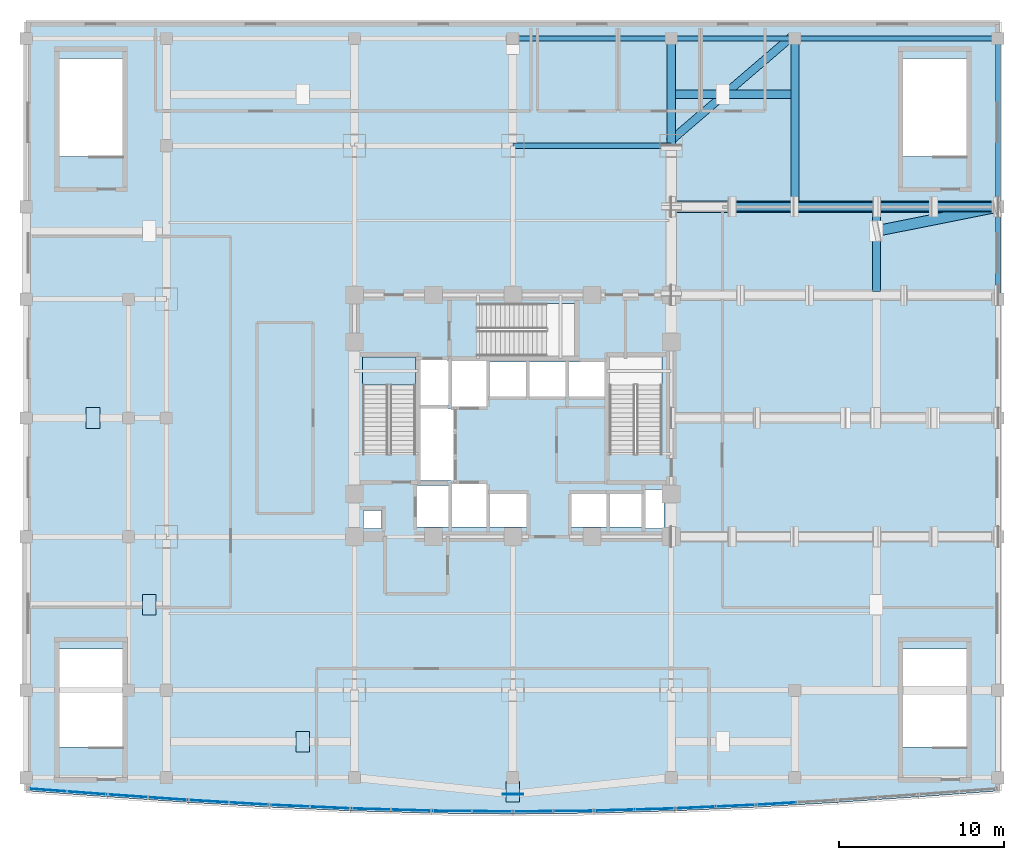
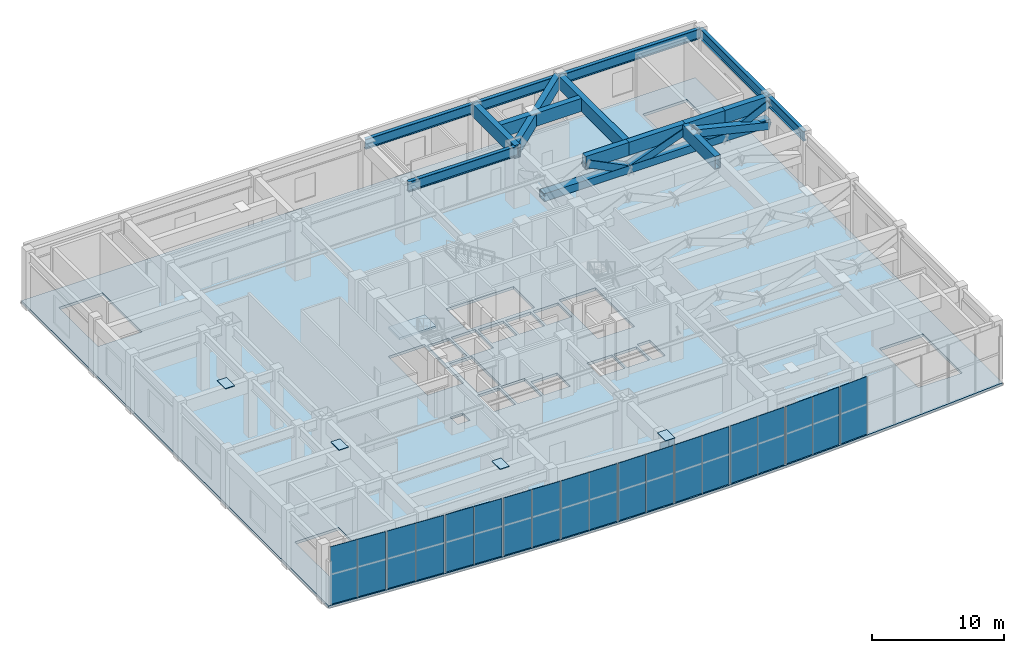
# One storey, part 10 of 19: 24 plates, 15 beams, 6 members, 2 slabs, 11 elements without a shape of their own.
"""IFC4 building model written with IfcOpenShell, lengths in metres."""

from ifc_helpers import new_model, si_unit, direction, frame, origin, origin_2d, place, context, subcontext, project, spatial, polyline, rectangle, hollow_rectangle, i_section, outline, extrude, material, layer, layer_set, material_profile, profile_set, type_object, element, aggregate, save


model = new_model("IFC4")

# Units and contexts
model_context = context("Model", 3, precision=1e-05, world=origin(), true_north=direction((0.0, 1.0)))
body_context = subcontext(model_context, "Body", "Model", "MODEL_VIEW")
ifc_project = project(units=[si_unit("LENGTHUNIT", "METRE"), si_unit("AREAUNIT", "SQUARE_METRE"), si_unit("VOLUMEUNIT", "CUBIC_METRE"), si_unit("PLANEANGLEUNIT", "RADIAN"), si_unit("MASSUNIT", "GRAM", prefix="KILO")], contexts=[model_context])

# Site, building, storey
site_placement = place(None, origin())
site = spatial("IfcSite", under=ifc_project, at=site_placement, CompositionType="ELEMENT")
building_placement = place(site_placement, origin())
building = spatial("IfcBuilding", under=site, at=building_placement, Name="Vantalir Tower", CompositionType="ELEMENT")
storey_placement = place(building_placement, frame((0.0, 0.0, 21.5)))
storey = spatial("IfcBuildingStorey", under=building, at=storey_placement, Name="L04", CompositionType="ELEMENT", Elevation=21.5)

# Beams
ifc_material_1 = material(Name="Steel S355", Category="steel")
ifc_material_profile_1 = material_profile(ifc_material_1, i_section(OverallWidth=0.30810546875, OverallDepth=0.927001953125, WebThickness=0.01953125, FlangeThickness=0.031982421875, at=origin_2d()), Name="Steel S355")
ifc_profile_set_1 = profile_set([ifc_material_profile_1], Name="Steel S355")
beam_type_1 = type_object("IfcBeamType", Name="BM-PG-914x305", PredefinedType="USERDEFINED", material=ifc_profile_set_1)
for number, where, z_axis, x_axis, name in (
    (1, (31.5, 41.5, 4.81591796875), (1.0, 0.0, 0.0), (0.0, 1.0, 0.0), "L04 Podium E-W Girder 32"),
    (2, (31.5, 48.0, 4.81591796875), (1.0, 0.0, 0.0), (0.0, 1.0, 0.0), "L04 Podium E-W Girder 36"),
):
    element("IfcBeam", number, at=place(storey_placement, frame(where, z_axis=z_axis, x_axis=x_axis)), inside=storey, type_object=beam_type_1, Name=name, ObjectType="GIRDER", PredefinedType="USERDEFINED", context=body_context, shape_type="SweptSolid", body=[
        extrude(i_section(OverallWidth=0.30810546875, OverallDepth=0.927001953125, WebThickness=0.01953125, FlangeThickness=0.031982421875, at=origin_2d()), origin(), (0.0, 0.0, 1.0), 9.60009765625),
    ])
beam_1_placement = place(storey_placement, frame((41.10009765625, 48.0, 4.81591796875), z_axis=(1.0, 0.0, 0.0), x_axis=(0.0, 1.0, 0.0)))
element("IfcBeam", 3, at=beam_1_placement, inside=storey, type_object=beam_type_1, Name="L04 Podium E-W Girder 37", ObjectType="GIRDER", PredefinedType="USERDEFINED", context=body_context, shape_type="SweptSolid", body=[
    extrude(i_section(OverallWidth=0.30810546875, OverallDepth=0.927001953125, WebThickness=0.01953125, FlangeThickness=0.031982421875, at=origin_2d()), origin(), (0.0, 0.0, 1.0), 7.5),
])
beam_2_placement = place(storey_placement, frame((48.60009765625, 48.0, 4.81591796875), z_axis=(1.0, 0.0, 0.0), x_axis=(0.0, 1.0, 0.0)))
element("IfcBeam", 4, at=beam_2_placement, inside=storey, type_object=beam_type_1, Name="L04 Podium E-W Girder 38", ObjectType="GIRDER", PredefinedType="USERDEFINED", context=body_context, shape_type="SweptSolid", body=[
    extrude(i_section(OverallWidth=0.30810546875, OverallDepth=0.927001953125, WebThickness=0.01953125, FlangeThickness=0.031982421875, at=origin_2d()), origin(), (0.0, 0.0, 1.0), 12.2998046875),
])
beam_3_placement = place(storey_placement, frame((60.89990234375, 32.199951171875, 4.81591796875), z_axis=(0.0, 1.0, 0.0), x_axis=(-1.0, 0.0, 0.0)))
element("IfcBeam", 5, at=beam_3_placement, inside=storey, type_object=beam_type_1, Name="L04 Podium N-S Girder 77", ObjectType="GIRDER", PredefinedType="USERDEFINED", context=body_context, shape_type="SweptSolid", body=[
    extrude(i_section(OverallWidth=0.30810546875, OverallDepth=0.927001953125, WebThickness=0.01953125, FlangeThickness=0.031982421875, at=origin_2d()), origin(), (0.0, 0.0, 1.0), 5.60009765625),
])
beam_4_placement = place(storey_placement, frame((60.89990234375, 37.800048828125, 4.81591796875), z_axis=(0.0, 1.0, 0.0), x_axis=(-1.0, 0.0, 0.0)))
element("IfcBeam", 6, at=beam_4_placement, inside=storey, type_object=beam_type_1, Name="L04 Podium N-S Girder 78", ObjectType="GIRDER", PredefinedType="USERDEFINED", context=body_context, shape_type="SweptSolid", body=[
    extrude(i_section(OverallWidth=0.30810546875, OverallDepth=0.927001953125, WebThickness=0.01953125, FlangeThickness=0.031982421875, at=origin_2d()), origin(), (0.0, 0.0, 1.0), 10.199951171875),
])
ifc_material_2 = material(Name="Steel S460", Category="steel")
ifc_material_profile_2 = material_profile(ifc_material_2, hollow_rectangle(XDim=0.5, YDim=1.199951171875, WallThickness=0.0400390625, at=origin_2d()), Name="Steel S460")
ifc_profile_set_2 = profile_set([ifc_material_profile_2], Name="Steel S460")
beam_type_2 = type_object("IfcBeamType", Name="BM-XG-1200x500", PredefinedType="USERDEFINED", material=ifc_profile_set_2)
beam_5_placement = place(storey_placement, frame((44.800048828125, 37.800048828125, 4.679931640625), z_axis=(1.0, 0.0, 0.0), x_axis=(0.0, 1.0, 0.0)))
element("IfcBeam", 7, at=beam_5_placement, inside=storey, type_object=beam_type_2, Name="L04 Ballroom Transfer Truss T4 Top Chord 2", ObjectType="GIRDER", PredefinedType="USERDEFINED", context=body_context, shape_type="SweptSolid", body=[
    extrude(hollow_rectangle(XDim=0.5, YDim=1.199951171875, WallThickness=0.0400390625, at=origin_2d()), origin(), (0.0, 0.0, 1.0), 3.800048828125),
])
beam_6_placement = place(storey_placement, frame((48.60009765625, 37.800048828125, 4.679931640625), z_axis=(1.0, 0.0, 0.0), x_axis=(0.0, 1.0, 0.0)))
element("IfcBeam", 8, at=beam_6_placement, inside=storey, type_object=beam_type_2, Name="L04 Ballroom Transfer Truss T4 Top Chord 3", ObjectType="GIRDER", PredefinedType="USERDEFINED", context=body_context, shape_type="SweptSolid", body=[
    extrude(hollow_rectangle(XDim=0.5, YDim=1.199951171875, WallThickness=0.0400390625, at=origin_2d()), origin(), (0.0, 0.0, 1.0), 4.93994140625),
])
beam_7_placement = place(storey_placement, frame((53.5400390625, 37.800048828125, 4.679931640625), z_axis=(1.0, 0.0, 0.0), x_axis=(0.0, 1.0, 0.0)))
element("IfcBeam", 9, at=beam_7_placement, inside=storey, type_object=beam_type_2, Name="L04 Ballroom Transfer Truss T4 Top Chord 4", ObjectType="GIRDER", PredefinedType="USERDEFINED", context=body_context, shape_type="SweptSolid", body=[
    extrude(hollow_rectangle(XDim=0.5, YDim=1.199951171875, WallThickness=0.0400390625, at=origin_2d()), origin(), (0.0, 0.0, 1.0), 3.4599609375),
])
beam_8_placement = place(storey_placement, frame((57.0, 37.800048828125, 4.679931640625), z_axis=(1.0, 0.0, 0.0), x_axis=(0.0, 1.0, 0.0)))
element("IfcBeam", 10, at=beam_8_placement, inside=storey, type_object=beam_type_2, Name="L04 Ballroom Transfer Truss T4 Top Chord 5", ObjectType="GIRDER", PredefinedType="USERDEFINED", context=body_context, shape_type="SweptSolid", body=[
    extrude(hollow_rectangle(XDim=0.5, YDim=1.199951171875, WallThickness=0.0400390625, at=origin_2d()), origin(), (0.0, 0.0, 1.0), 3.89990234375),
])
beam_9_placement = place(storey_placement, frame((41.10009765625, 41.5, 4.679931640625), z_axis=(0.0, 1.0, 0.0), x_axis=(-1.0, 0.0, 0.0)))
element("IfcBeam", 11, at=beam_9_placement, inside=storey, type_object=beam_type_2, Name="L04 Ring Transfer Girder PRI-X7N", ObjectType="GIRDER", PredefinedType="USERDEFINED", context=body_context, shape_type="SweptSolid", body=[
    extrude(hollow_rectangle(XDim=0.5, YDim=1.199951171875, WallThickness=0.0400390625, at=origin_2d()), origin(), (0.0, 0.0, 1.0), 6.5),
])
beam_10_placement = place(storey_placement, frame((48.60009765625, 37.800048828125, 4.679931640625), z_axis=(0.0, 1.0, 0.0), x_axis=(-1.0, 0.0, 0.0)))
element("IfcBeam", 12, at=beam_10_placement, inside=storey, type_object=beam_type_2, Name="L04 Ring Transfer Girder PRI-X8N", ObjectType="GIRDER", PredefinedType="USERDEFINED", context=body_context, shape_type="SweptSolid", body=[
    extrude(hollow_rectangle(XDim=0.5, YDim=1.199951171875, WallThickness=0.0400390625, at=origin_2d()), origin(), (0.0, 0.0, 1.0), 10.199951171875),
])
beam_11_placement = place(storey_placement, frame((53.5400390625, 32.675048828125, 4.679931640625), z_axis=(0.0, 1.0, 0.0), x_axis=(-1.0, 0.0, 0.0)))
element("IfcBeam", 13, at=beam_11_placement, inside=storey, type_object=beam_type_2, Name="L04 Ring Transfer Girder SEC-RC02B", ObjectType="GIRDER", PredefinedType="USERDEFINED", context=body_context, shape_type="SweptSolid", body=[
    extrude(hollow_rectangle(XDim=0.5, YDim=1.199951171875, WallThickness=0.0400390625, at=origin_2d()), origin(), (0.0, 0.0, 1.0), 4.89990234375),
])
beam_12_placement = place(storey_placement, frame((40.9599609375, 41.719970703125, 4.679931640625), z_axis=(0.758687994186, 0.651454163758, 0.0), x_axis=(-0.651454163758, 0.758687994186, 0.0)))
element("IfcBeam", 14, at=beam_12_placement, inside=storey, type_object=beam_type_2, Name="L04 Ring Transfer Girder PRI-RC03D", ObjectType="GIRDER", PredefinedType="USERDEFINED", context=body_context, shape_type="SweptSolid", body=[
    extrude(hollow_rectangle(XDim=0.5, YDim=1.199951171875, WallThickness=0.0400390625, at=origin_2d()), origin(), (0.0, 0.0, 1.0), 9.885498046875),
])
beam_13_placement = place(storey_placement, frame((41.324951171875, 44.6279296875, 4.679931640625), z_axis=(1.0, 0.0, 0.0), x_axis=(0.0, 1.0, 0.0)))
element("IfcBeam", 15, at=beam_13_placement, inside=storey, type_object=beam_type_2, Name="L04 Ring Transfer Girder SEC-RC03", ObjectType="GIRDER", PredefinedType="USERDEFINED", context=body_context, shape_type="SweptSolid", body=[
    extrude(hollow_rectangle(XDim=0.5, YDim=1.199951171875, WallThickness=0.0400390625, at=origin_2d()), origin(), (0.0, 0.0, 1.0), 7.050048828125),
])

# Members
ifc_material_profile_3 = material_profile(ifc_material_2, hollow_rectangle(XDim=0.699951171875, YDim=0.699951171875, WallThickness=0.044921875, at=origin_2d()), Name="Steel S460")
ifc_profile_set_3 = profile_set([ifc_material_profile_3], Name="Steel S460")
member_type_1 = type_object("IfcMemberType", Name="MEM-CH-700x45", PredefinedType="CHORD", material=ifc_profile_set_3)
member_1_placement = place(storey_placement, frame((41.10009765625, 37.800048828125, 2.830078125), z_axis=(1.0, 0.0, 0.0), x_axis=(0.0, 1.0, 0.0)))
element("IfcMember", 16, at=member_1_placement, inside=storey, type_object=member_type_1, Name="L04 Ballroom Transfer Truss T4 Bottom Chord", PredefinedType="CHORD", context=body_context, shape_type="SweptSolid", body=[
    extrude(hollow_rectangle(XDim=0.699951171875, YDim=0.699951171875, WallThickness=0.044921875, at=origin_2d()), origin(), (0.0, 0.0, 1.0), 19.7998046875),
])
ifc_material_profile_4 = material_profile(ifc_material_2, hollow_rectangle(XDim=0.64990234375, YDim=0.64990234375, WallThickness=0.044921875, at=origin_2d()), Name="Steel S460")
ifc_profile_set_4 = profile_set([ifc_material_profile_4], Name="Steel S460")
member_type_2 = type_object("IfcMemberType", Name="MEM-XT-650x45", PredefinedType="BRACE", material=ifc_profile_set_4)
member_2_placement = place(storey_placement, frame((44.8798828125, 37.800048828125, 4.6298828125), z_axis=(0.896414322007, 0.0, -0.443217061156), x_axis=(0.0, 1.0, 0.0)))
element("IfcMember", 17, at=member_2_placement, inside=storey, type_object=member_type_2, Name="L04 Ballroom Transfer Truss T4 Web 2", PredefinedType="BRACE", context=body_context, shape_type="SweptSolid", body=[
    extrude(hollow_rectangle(XDim=0.64990234375, YDim=0.64990234375, WallThickness=0.044921875, at=origin_2d()), origin(), (0.0, 0.0, 1.0), 4.060791015625),
])
member_3_placement = place(storey_placement, frame((48.679931640625, 37.800048828125, 2.830078125), z_axis=(0.935858861623, 0.0, 0.352375071652), x_axis=(0.0, 1.0, 0.0)))
element("IfcMember", 18, at=member_3_placement, inside=storey, type_object=member_type_2, Name="L04 Ballroom Transfer Truss T4 Web 3", PredefinedType="BRACE", context=body_context, shape_type="SweptSolid", body=[
    extrude(hollow_rectangle(XDim=0.64990234375, YDim=0.64990234375, WallThickness=0.044921875, at=origin_2d()), origin(), (0.0, 0.0, 1.0), 5.107666015625),
])
member_4_placement = place(storey_placement, frame((53.6201171875, 37.800048828125, 4.6298828125), z_axis=(0.877905501855, 0.0, -0.478833927173), x_axis=(0.0, 1.0, 0.0)))
element("IfcMember", 19, at=member_4_placement, inside=storey, type_object=member_type_2, Name="L04 Ballroom Transfer Truss T4 Web 4", PredefinedType="BRACE", context=body_context, shape_type="SweptSolid", body=[
    extrude(hollow_rectangle(XDim=0.64990234375, YDim=0.64990234375, WallThickness=0.044921875, at=origin_2d()), origin(), (0.0, 0.0, 1.0), 3.7587890625),
])
member_5_placement = place(storey_placement, frame((57.080078125, 37.800048828125, 2.830078125), z_axis=(0.901089359845, 0.0, 0.433633446098), x_axis=(0.0, 1.0, 0.0)))
element("IfcMember", 20, at=member_5_placement, inside=storey, type_object=member_type_2, Name="L04 Ballroom Transfer Truss T4 Web 5", PredefinedType="BRACE", context=body_context, shape_type="SweptSolid", body=[
    extrude(hollow_rectangle(XDim=0.64990234375, YDim=0.64990234375, WallThickness=0.044921875, at=origin_2d()), origin(), (0.0, 0.0, 1.0), 4.150634765625),
])
member_6_placement = place(storey_placement, frame((60.863037109375, 37.79296875, 2.533935546875), z_axis=(-0.92080903949, -0.183736021651, 0.344022945661), x_axis=(0.19568009152, -0.980667783596, 0.0)))
element("IfcMember", 21, at=member_6_placement, inside=storey, type_object=member_type_2, Name="L04 Ring Transfer Raking Strut RC02", PredefinedType="BRACE", context=body_context, shape_type="SweptSolid", body=[
    extrude(hollow_rectangle(XDim=0.64990234375, YDim=0.64990234375, WallThickness=0.044921875, at=origin_2d()), origin(), (0.0, 0.0, 1.0), 7.912841796875),
])

# Curtain wall, plates
ifc_material_3 = material(Name="Champagne-silver PVDF aluminium and double-silver Low-E glass", Category="aluminium")
ifc_layer_1 = layer(ifc_material_3, 0.239990234375)
ifc_layer_set_1 = layer_set([ifc_layer_1], Name="Champagne-silver PVDF aluminium and double-silver Low-E glass")
curtain_wall_type = type_object("IfcCurtainWallType", Name="CW-PODIUM-WF", PredefinedType="USERDEFINED", material=ifc_layer_set_1)
curtain_wall_1_placement = place(storey_placement, origin())
curtain_wall_1 = element("IfcCurtainWall", 22, at=curtain_wall_1_placement, inside=storey, type_object=curtain_wall_type, Name="L04 Waterfront Stick Curtain Wall 01", ObjectType="STICK CURTAIN WALL", PredefinedType="USERDEFINED")
ifc_material_4 = material(Name="Laminated waterfront podium glass IGU", Category="glass")
ifc_layer_2 = layer(ifc_material_4, 0.0400390625)
ifc_layer_set_2 = layer_set([ifc_layer_2], Name="Laminated waterfront podium glass IGU")
plate_type_1 = type_object("IfcPlateType", Name="CWP-IGU-POD-40", PredefinedType="CURTAIN_PANEL", material=ifc_layer_set_2)
plate_1_placement = place(storey_placement, frame((3.319091796875, 2.443115234375, -0.008056640625), z_axis=(0.0, 0.0, 1.0), x_axis=(0.99730039812, -0.073429666411, 0.0)))
plate_1 = element("IfcPlate", 23, at=plate_1_placement, type_object=plate_type_1, Name="CW-L04-WF-01 Glazed Panel 1", PredefinedType="CURTAIN_PANEL", context=body_context, shape_type="SweptSolid", body=[
    extrude(rectangle(XDim=2.264892578125, YDim=0.0400390625, at=origin_2d()), origin(), (0.0, 0.0, 1.0), 5.3359375),
])
plate_2_placement = place(storey_placement, frame((5.6630859375, 2.27001953125, -0.008056640625), z_axis=(0.0, 0.0, 1.0), x_axis=(0.99730039812, -0.073429666411, 0.0)))
plate_2 = element("IfcPlate", 24, at=plate_2_placement, type_object=plate_type_1, Name="CW-L04-WF-01 Glazed Panel 2", PredefinedType="CURTAIN_PANEL", context=body_context, shape_type="SweptSolid", body=[
    extrude(rectangle(XDim=2.39501953125, YDim=0.0400390625, at=origin_2d()), origin(), (0.0, 0.0, 1.0), 5.3359375),
])
aggregate(curtain_wall_1, [plate_1, plate_2])

curtain_wall_2_placement = place(storey_placement, origin())
curtain_wall_2 = element("IfcCurtainWall", 25, at=curtain_wall_2_placement, inside=storey, type_object=curtain_wall_type, Name="L04 Waterfront Stick Curtain Wall 02", ObjectType="STICK CURTAIN WALL", PredefinedType="USERDEFINED")
plate_3_placement = place(storey_placement, frame((8.1708984375, 2.092041015625, -0.008056640625), z_axis=(0.0, 0.0, 1.0), x_axis=(0.997644939362, -0.068589904246, 0.0)))
plate_3 = element("IfcPlate", 26, at=plate_3_placement, type_object=plate_type_1, Name="CW-L04-WF-02 Glazed Panel 1", PredefinedType="CURTAIN_PANEL", context=body_context, shape_type="SweptSolid", body=[
    extrude(rectangle(XDim=2.39404296875, YDim=0.0400390625, at=origin_2d()), origin(), (0.0, 0.0, 1.0), 5.3359375),
])
plate_4_placement = place(storey_placement, frame((10.5791015625, 1.926025390625, -0.008056640625), z_axis=(0.0, 0.0, 1.0), x_axis=(0.997644939362, -0.068589904246, 0.0)))
plate_4 = element("IfcPlate", 27, at=plate_4_placement, type_object=plate_type_1, Name="CW-L04-WF-02 Glazed Panel 2", PredefinedType="CURTAIN_PANEL", context=body_context, shape_type="SweptSolid", body=[
    extrude(rectangle(XDim=2.39404296875, YDim=0.0400390625, at=origin_2d()), origin(), (0.0, 0.0, 1.0), 5.3359375),
])
aggregate(curtain_wall_2, [plate_3, plate_4])

curtain_wall_3_placement = place(storey_placement, origin())
curtain_wall_3 = element("IfcCurtainWall", 28, at=curtain_wall_3_placement, inside=storey, type_object=curtain_wall_type, Name="L04 Waterfront Stick Curtain Wall 03", ObjectType="STICK CURTAIN WALL", PredefinedType="USERDEFINED")
plate_5_placement = place(storey_placement, frame((13.0869140625, 1.76611328125, -0.008056640625), z_axis=(0.0, 0.0, 1.0), x_axis=(0.998265610185, -0.058870803651, 0.0)))
plate_5 = element("IfcPlate", 29, at=plate_5_placement, type_object=plate_type_1, Name="CW-L04-WF-03 Glazed Panel 1", PredefinedType="CURTAIN_PANEL", context=body_context, shape_type="SweptSolid", body=[
    extrude(rectangle(XDim=2.39306640625, YDim=0.0400390625, at=origin_2d()), origin(), (0.0, 0.0, 1.0), 5.3359375),
])
plate_6_placement = place(storey_placement, frame((15.49609375, 1.6240234375, -0.008056640625), z_axis=(0.0, 0.0, 1.0), x_axis=(0.998265610185, -0.058870803651, 0.0)))
plate_6 = element("IfcPlate", 30, at=plate_6_placement, type_object=plate_type_1, Name="CW-L04-WF-03 Glazed Panel 2", PredefinedType="CURTAIN_PANEL", context=body_context, shape_type="SweptSolid", body=[
    extrude(rectangle(XDim=2.39306640625, YDim=0.0400390625, at=origin_2d()), origin(), (0.0, 0.0, 1.0), 5.3359375),
])
aggregate(curtain_wall_3, [plate_5, plate_6])

curtain_wall_4_placement = place(storey_placement, origin())
curtain_wall_4 = element("IfcCurtainWall", 31, at=curtain_wall_4_placement, inside=storey, type_object=curtain_wall_type, Name="L04 Waterfront Stick Curtain Wall 04", ObjectType="STICK CURTAIN WALL", PredefinedType="USERDEFINED")
plate_7_placement = place(storey_placement, frame((18.00390625, 1.492919921875, -0.008056640625), z_axis=(0.0, 0.0, 1.0), x_axis=(0.998982411559, -0.045101456694, 0.0)))
plate_7 = element("IfcPlate", 32, at=plate_7_placement, type_object=plate_type_1, Name="CW-L04-WF-04 Glazed Panel 1", PredefinedType="CURTAIN_PANEL", context=body_context, shape_type="SweptSolid", body=[
    extrude(rectangle(XDim=2.39111328125, YDim=0.0400390625, at=origin_2d()), origin(), (0.0, 0.0, 1.0), 5.3359375),
])
plate_8_placement = place(storey_placement, frame((20.4130859375, 1.385009765625, -0.008056640625), z_axis=(0.0, 0.0, 1.0), x_axis=(0.998982411559, -0.045101456694, 0.0)))
plate_8 = element("IfcPlate", 33, at=plate_8_placement, type_object=plate_type_1, Name="CW-L04-WF-04 Glazed Panel 2", PredefinedType="CURTAIN_PANEL", context=body_context, shape_type="SweptSolid", body=[
    extrude(rectangle(XDim=2.39111328125, YDim=0.0400390625, at=origin_2d()), origin(), (0.0, 0.0, 1.0), 5.3359375),
])
aggregate(curtain_wall_4, [plate_7, plate_8])

curtain_wall_5_placement = place(storey_placement, origin())
curtain_wall_5 = element("IfcCurtainWall", 34, at=curtain_wall_5_placement, inside=storey, type_object=curtain_wall_type, Name="L04 Waterfront Stick Curtain Wall 05", ObjectType="STICK CURTAIN WALL", PredefinedType="USERDEFINED")
plate_9_placement = place(storey_placement, frame((22.9208984375, 1.2919921875, -0.008056640625), z_axis=(0.0, 0.0, 1.0), x_axis=(0.999594861669, -0.02846247573, 0.0)))
plate_9 = element("IfcPlate", 35, at=plate_9_placement, type_object=plate_type_1, Name="CW-L04-WF-05 Glazed Panel 1", PredefinedType="CURTAIN_PANEL", context=body_context, shape_type="SweptSolid", body=[
    extrude(rectangle(XDim=2.388916015625, YDim=0.0400390625, at=origin_2d()), origin(), (0.0, 0.0, 1.0), 5.3359375),
])
plate_10_placement = place(storey_placement, frame((25.3291015625, 1.22412109375, -0.008056640625), z_axis=(0.0, 0.0, 1.0), x_axis=(0.999594861669, -0.02846247573, 0.0)))
plate_10 = element("IfcPlate", 36, at=plate_10_placement, type_object=plate_type_1, Name="CW-L04-WF-05 Glazed Panel 2", PredefinedType="CURTAIN_PANEL", context=body_context, shape_type="SweptSolid", body=[
    extrude(rectangle(XDim=2.388916015625, YDim=0.0400390625, at=origin_2d()), origin(), (0.0, 0.0, 1.0), 5.3359375),
])
aggregate(curtain_wall_5, [plate_9, plate_10])

curtain_wall_6_placement = place(storey_placement, origin())
curtain_wall_6 = element("IfcCurtainWall", 37, at=curtain_wall_6_placement, inside=storey, type_object=curtain_wall_type, Name="L04 Waterfront Stick Curtain Wall 06", ObjectType="STICK CURTAIN WALL", PredefinedType="USERDEFINED")
plate_11_placement = place(storey_placement, frame((27.8369140625, 1.176025390625, -0.008056640625), z_axis=(0.0, 0.0, 1.0), x_axis=(0.9999524068, -0.009756235739, 0.0)))
plate_11 = element("IfcPlate", 38, at=plate_11_placement, type_object=plate_type_1, Name="CW-L04-WF-06 Glazed Panel 1", PredefinedType="CURTAIN_PANEL", context=body_context, shape_type="SweptSolid", body=[
    extrude(rectangle(XDim=2.388916015625, YDim=0.0400390625, at=origin_2d()), origin(), (0.0, 0.0, 1.0), 5.3359375),
])
plate_12_placement = place(storey_placement, frame((30.24609375, 1.152099609375, -0.008056640625), z_axis=(0.0, 0.0, 1.0), x_axis=(0.9999524068, -0.009756235739, 0.0)))
plate_12 = element("IfcPlate", 39, at=plate_12_placement, type_object=plate_type_1, Name="CW-L04-WF-06 Glazed Panel 2", PredefinedType="CURTAIN_PANEL", context=body_context, shape_type="SweptSolid", body=[
    extrude(rectangle(XDim=2.388916015625, YDim=0.0400390625, at=origin_2d()), origin(), (0.0, 0.0, 1.0), 5.3359375),
])
aggregate(curtain_wall_6, [plate_11, plate_12])

curtain_wall_7_placement = place(storey_placement, origin())
curtain_wall_7 = element("IfcCurtainWall", 40, at=curtain_wall_7_placement, inside=storey, type_object=curtain_wall_type, Name="L04 Waterfront Stick Curtain Wall 07", ObjectType="STICK CURTAIN WALL", PredefinedType="USERDEFINED")
plate_13_placement = place(storey_placement, frame((32.75390625, 1.152099609375, -0.008056640625), z_axis=(0.0, 0.0, 1.0), x_axis=(0.9999524068, 0.009756235739, 0.0)))
plate_13 = element("IfcPlate", 41, at=plate_13_placement, type_object=plate_type_1, Name="CW-L04-WF-07 Glazed Panel 1", PredefinedType="CURTAIN_PANEL", context=body_context, shape_type="SweptSolid", body=[
    extrude(rectangle(XDim=2.388916015625, YDim=0.0400390625, at=origin_2d()), origin(), (0.0, 0.0, 1.0), 5.3359375),
])
plate_14_placement = place(storey_placement, frame((35.1630859375, 1.176025390625, -0.008056640625), z_axis=(0.0, 0.0, 1.0), x_axis=(0.9999524068, 0.009756235739, 0.0)))
plate_14 = element("IfcPlate", 42, at=plate_14_placement, type_object=plate_type_1, Name="CW-L04-WF-07 Glazed Panel 2", PredefinedType="CURTAIN_PANEL", context=body_context, shape_type="SweptSolid", body=[
    extrude(rectangle(XDim=2.388916015625, YDim=0.0400390625, at=origin_2d()), origin(), (0.0, 0.0, 1.0), 5.3359375),
])
aggregate(curtain_wall_7, [plate_13, plate_14])

curtain_wall_8_placement = place(storey_placement, origin())
curtain_wall_8 = element("IfcCurtainWall", 43, at=curtain_wall_8_placement, inside=storey, type_object=curtain_wall_type, Name="L04 Waterfront Stick Curtain Wall 08", ObjectType="STICK CURTAIN WALL", PredefinedType="USERDEFINED")
plate_15_placement = place(storey_placement, frame((37.6708984375, 1.22412109375, -0.008056640625), z_axis=(0.0, 0.0, 1.0), x_axis=(0.999594861669, 0.02846247573, 0.0)))
plate_15 = element("IfcPlate", 44, at=plate_15_placement, type_object=plate_type_1, Name="CW-L04-WF-08 Glazed Panel 1", PredefinedType="CURTAIN_PANEL", context=body_context, shape_type="SweptSolid", body=[
    extrude(rectangle(XDim=2.388916015625, YDim=0.0400390625, at=origin_2d()), origin(), (0.0, 0.0, 1.0), 5.3359375),
])
plate_16_placement = place(storey_placement, frame((40.0791015625, 1.2919921875, -0.008056640625), z_axis=(0.0, 0.0, 1.0), x_axis=(0.999594861669, 0.02846247573, 0.0)))
plate_16 = element("IfcPlate", 45, at=plate_16_placement, type_object=plate_type_1, Name="CW-L04-WF-08 Glazed Panel 2", PredefinedType="CURTAIN_PANEL", context=body_context, shape_type="SweptSolid", body=[
    extrude(rectangle(XDim=2.388916015625, YDim=0.0400390625, at=origin_2d()), origin(), (0.0, 0.0, 1.0), 5.3359375),
])
aggregate(curtain_wall_8, [plate_15, plate_16])

curtain_wall_9_placement = place(storey_placement, origin())
curtain_wall_9 = element("IfcCurtainWall", 46, at=curtain_wall_9_placement, inside=storey, type_object=curtain_wall_type, Name="L04 Waterfront Stick Curtain Wall 09", ObjectType="STICK CURTAIN WALL", PredefinedType="USERDEFINED")
plate_17_placement = place(storey_placement, frame((42.5869140625, 1.385009765625, -0.008056640625), z_axis=(0.0, 0.0, 1.0), x_axis=(0.998982411559, 0.045101456694, 0.0)))
plate_17 = element("IfcPlate", 47, at=plate_17_placement, type_object=plate_type_1, Name="CW-L04-WF-09 Glazed Panel 1", PredefinedType="CURTAIN_PANEL", context=body_context, shape_type="SweptSolid", body=[
    extrude(rectangle(XDim=2.39111328125, YDim=0.0400390625, at=origin_2d()), origin(), (0.0, 0.0, 1.0), 5.3359375),
])
plate_18_placement = place(storey_placement, frame((44.99609375, 1.492919921875, -0.008056640625), z_axis=(0.0, 0.0, 1.0), x_axis=(0.998982411559, 0.045101456694, 0.0)))
plate_18 = element("IfcPlate", 48, at=plate_18_placement, type_object=plate_type_1, Name="CW-L04-WF-09 Glazed Panel 2", PredefinedType="CURTAIN_PANEL", context=body_context, shape_type="SweptSolid", body=[
    extrude(rectangle(XDim=2.39111328125, YDim=0.0400390625, at=origin_2d()), origin(), (0.0, 0.0, 1.0), 5.3359375),
])
aggregate(curtain_wall_9, [plate_17, plate_18])

# Curtain wall, plate
curtain_wall_10_placement = place(storey_placement, origin())
curtain_wall_10 = element("IfcCurtainWall", 49, at=curtain_wall_10_placement, inside=storey, type_object=curtain_wall_type, Name="L04 Waterfront Stick Curtain Wall 10", ObjectType="STICK CURTAIN WALL", PredefinedType="USERDEFINED")
plate_19_placement = place(storey_placement, frame((47.50390625, 1.6240234375, -0.008056640625), z_axis=(0.0, 0.0, 1.0), x_axis=(0.998265610185, 0.058870803651, 0.0)))
plate_19 = element("IfcPlate", 50, at=plate_19_placement, type_object=plate_type_1, Name="CW-L04-WF-10 Glazed Panel 1", PredefinedType="CURTAIN_PANEL", context=body_context, shape_type="SweptSolid", body=[
    extrude(rectangle(XDim=2.39306640625, YDim=0.0400390625, at=origin_2d()), origin(), (0.0, 0.0, 1.0), 5.3359375),
])
aggregate(curtain_wall_10, [plate_19])

# Plates
ifc_layer_3 = layer(ifc_material_2, 0.050048828125)
ifc_layer_set_3 = layer_set([ifc_layer_3], Name="Steel S460")
plate_type_2 = type_object("IfcPlateType", Name="PLT-TN-01", PredefinedType="USERDEFINED", material=ifc_layer_set_3)
plate_20_placement = place(storey_placement, frame((31.5, 2.18505859375, 4.27001953125), z_axis=(0.0, 0.0, 1.0), x_axis=(0.0, 1.0, 0.0)))
element("IfcPlate", 51, at=plate_20_placement, inside=storey, type_object=plate_type_2, Name="L04 Transfer Girder PRI-X5S South Cap", ObjectType="FLANGE_PLATE", PredefinedType="USERDEFINED", context=body_context, shape_type="SweptSolid", body=[
    extrude(rectangle(XDim=0.050048828125, YDim=1.25, at=origin_2d()), origin(), (0.0, 0.0, 1.0), 0.820068359375),
])
for number, where, z_axis, x_axis, name in (
    (52, (5.639892578125, 25.625, 5.508056640625), (0.0, 0.0, 1.0), (0.0, -1.0, 0.0), "L05 Ring Column Base Cap RC07"),
    (53, (9.050048828125, 14.29296875, 5.508056640625), (0.0, 0.0, 1.0), (0.0, -1.0, 0.0), "L05 Ring Column Base Cap RC08"),
    (54, (18.364990234375, 5.9970703125, 5.508056640625), (0.0, 0.0, 1.0), (0.0, -1.0, 0.0), "L05 Ring Column Base Cap RC09"),
):
    element("IfcPlate", number, at=place(storey_placement, frame(where, z_axis=z_axis, x_axis=x_axis)), inside=storey, type_object=plate_type_2, Name=name, ObjectType="FLANGE_PLATE", PredefinedType="USERDEFINED", context=body_context, shape_type="SweptSolid", body=[
        extrude(outline(polyline([(0.0, 0.0), (1.25, 0.0), (1.25, 0.820068359375), (0.0, 0.820068359375), (0.0, 0.0)])), origin(), (0.0, 0.0, -1.0), 0.050048828125),
    ])
plate_21_placement = place(storey_placement, frame((31.090087890625, 2.9609375, 5.508056640625), z_axis=(0.0, 0.0, 1.0), x_axis=(0.0, -1.0, 0.0)))
element("IfcPlate", 55, at=plate_21_placement, inside=storey, type_object=plate_type_2, Name="L05 Ring Column Base Cap RC10", ObjectType="FLANGE_PLATE", PredefinedType="USERDEFINED", context=body_context, shape_type="SweptSolid", body=[
    extrude(outline(polyline([(0.0, 0.0), (1.25, 0.0), (1.25, 0.81982421875), (0.0, 0.81982421875), (0.0, 0.0)])), origin(), (0.0, 0.0, -1.0), 0.050048828125),
])

# Stair, slab
ifc_material_5 = material(Name="Concrete C40/50", Category="concrete")
stair_type = type_object("IfcStairType", Name="STR-CORE-1450", PredefinedType="HALF_TURN_STAIR", material=ifc_material_5)
stair_placement = place(storey_placement, origin())
stair = element("IfcStair", 56, at=stair_placement, inside=storey, type_object=stair_type, Name="L04 Core Exit Stair 1", PredefinedType="HALF_TURN_STAIR")
ifc_layer_4 = layer(ifc_material_5, 0.199951171875)
ifc_layer_set_4 = layer_set([ifc_layer_4], Name="Concrete C40/50")
slab_type_1 = type_object("IfcSlabType", Name="SL-LAND-200", PredefinedType="LANDING", material=ifc_layer_set_4)
slab_1_placement = place(storey_placement, frame((0.0, 0.0, 2.550048828125)))
slab_1 = element("IfcSlab", 57, at=slab_1_placement, type_object=slab_type_1, Name="ST1 landing 1", PredefinedType="LANDING", context=body_context, shape_type="SweptSolid", body=[
    extrude(outline(polyline([(25.60009765625, 26.989990234375), (25.60009765625, 28.699951171875), (22.39990234375, 28.699951171875), (22.39990234375, 26.989990234375), (25.60009765625, 26.989990234375)])), origin(), (0.0, 0.0, 1.0), 0.199951171875),
])
aggregate(stair, [slab_1])

# Slab
ifc_layer_5 = layer(ifc_material_5, 0.25)
ifc_layer_set_5 = layer_set([ifc_layer_5], Name="Concrete C40/50")
slab_type_2 = type_object("IfcSlabType", Name="SL-POD-250", PredefinedType="FLOOR", material=ifc_layer_set_5)
slab_2_placement = place(storey_placement, frame((0.0, 0.0, -0.25)))
element("IfcSlab", 58, at=slab_2_placement, inside=storey, type_object=slab_type_2, Name="L04 Primary Structural Slab", PredefinedType="FLOOR", context=body_context, shape_type="SweptSolid", body=[
    extrude(outline(polyline([(56.0830078125, 2.0380859375), (61.0, 2.39990234375), (61.0, 49.0), (2.0, 49.0), (2.0, 2.39990234375), (6.9169921875, 2.0380859375), (11.8330078125, 1.699951171875), (16.75, 1.409912109375), (21.6669921875, 1.18798828125), (26.5830078125, 1.048095703125), (31.5, 1.0), (36.4169921875, 1.048095703125), (41.3330078125, 1.18798828125), (46.25, 1.409912109375), (51.1669921875, 1.699951171875), (56.0830078125, 2.0380859375)]), holes=[polyline([(22.39990234375, 22.7900390625), (22.39990234375, 28.699951171875), (25.60009765625, 28.699951171875), (25.60009765625, 22.7900390625), (22.39990234375, 22.7900390625)]), polyline([(37.35009765625, 28.699951171875), (40.550048828125, 28.699951171875), (40.550048828125, 22.7900390625), (37.35009765625, 22.7900390625), (37.35009765625, 28.699951171875)]), polyline([(35.25, 28.75), (29.340087890625, 28.75), (29.340087890625, 31.949951171875), (35.25, 31.949951171875), (35.25, 28.75)]), polyline([(7.85009765625, 40.85009765625), (4.0, 40.85009765625), (4.0, 46.800048828125), (7.85009765625, 46.800048828125), (7.85009765625, 40.85009765625)]), polyline([(55.14990234375, 40.85009765625), (55.14990234375, 46.800048828125), (59.0, 46.800048828125), (59.0, 40.85009765625), (55.14990234375, 40.85009765625)]), polyline([(4.0, 11.0), (7.85009765625, 11.0), (7.85009765625, 5.050048828125), (4.0, 5.050048828125), (4.0, 11.0)]), polyline([(59.0, 11.0), (59.0, 5.050048828125), (55.14990234375, 5.050048828125), (55.14990234375, 11.0), (59.0, 11.0)]), polyline([(27.60009765625, 18.39990234375), (25.699951171875, 18.39990234375), (25.699951171875, 20.89990234375), (27.60009765625, 20.89990234375), (27.60009765625, 18.39990234375)]), polyline([(25.699951171875, 25.800048828125), (25.699951171875, 28.5), (27.60009765625, 28.5), (27.60009765625, 25.800048828125), (25.699951171875, 25.800048828125)]), polyline([(27.800048828125, 21.0), (29.89990234375, 21.0), (29.89990234375, 18.39990234375), (27.800048828125, 18.39990234375), (27.800048828125, 21.0)]), polyline([(29.89990234375, 28.5), (29.89990234375, 25.699951171875), (27.800048828125, 25.699951171875), (27.800048828125, 28.5), (29.89990234375, 28.5)]), polyline([(32.39990234375, 18.39990234375), (30.10009765625, 18.39990234375), (30.10009765625, 20.39990234375), (32.39990234375, 20.39990234375), (32.39990234375, 18.39990234375)]), polyline([(37.35009765625, 18.39990234375), (37.35009765625, 20.39990234375), (39.35009765625, 20.39990234375), (39.35009765625, 18.39990234375), (37.35009765625, 18.39990234375)]), polyline([(35.0, 20.39990234375), (37.199951171875, 20.39990234375), (37.199951171875, 18.39990234375), (35.0, 18.39990234375), (35.0, 20.39990234375)]), polyline([(32.300048828125, 28.39990234375), (32.300048828125, 26.300048828125), (30.10009765625, 26.300048828125), (30.10009765625, 28.39990234375), (32.300048828125, 28.39990234375)]), polyline([(34.699951171875, 26.300048828125), (32.5, 26.300048828125), (32.5, 28.39990234375), (34.699951171875, 28.39990234375), (34.699951171875, 26.300048828125)]), polyline([(34.89990234375, 26.300048828125), (34.89990234375, 28.39990234375), (37.10009765625, 28.39990234375), (37.10009765625, 26.300048828125), (34.89990234375, 26.300048828125)]), polyline([(25.889892578125, 25.56005859375), (27.89990234375, 25.56005859375), (27.89990234375, 21.199951171875), (25.889892578125, 21.199951171875), (25.889892578125, 25.56005859375)]), polyline([(23.550048828125, 19.39990234375), (23.550048828125, 18.300048828125), (22.449951171875, 18.300048828125), (22.449951171875, 19.39990234375), (23.550048828125, 19.39990234375)]), polyline([(40.64990234375, 18.300048828125), (39.550048828125, 18.300048828125), (39.550048828125, 20.64990234375), (40.64990234375, 20.64990234375), (40.64990234375, 18.300048828125)])]), origin(), (0.0, 0.0, 1.0), 0.25),
])

save(model, "model.ifc")
